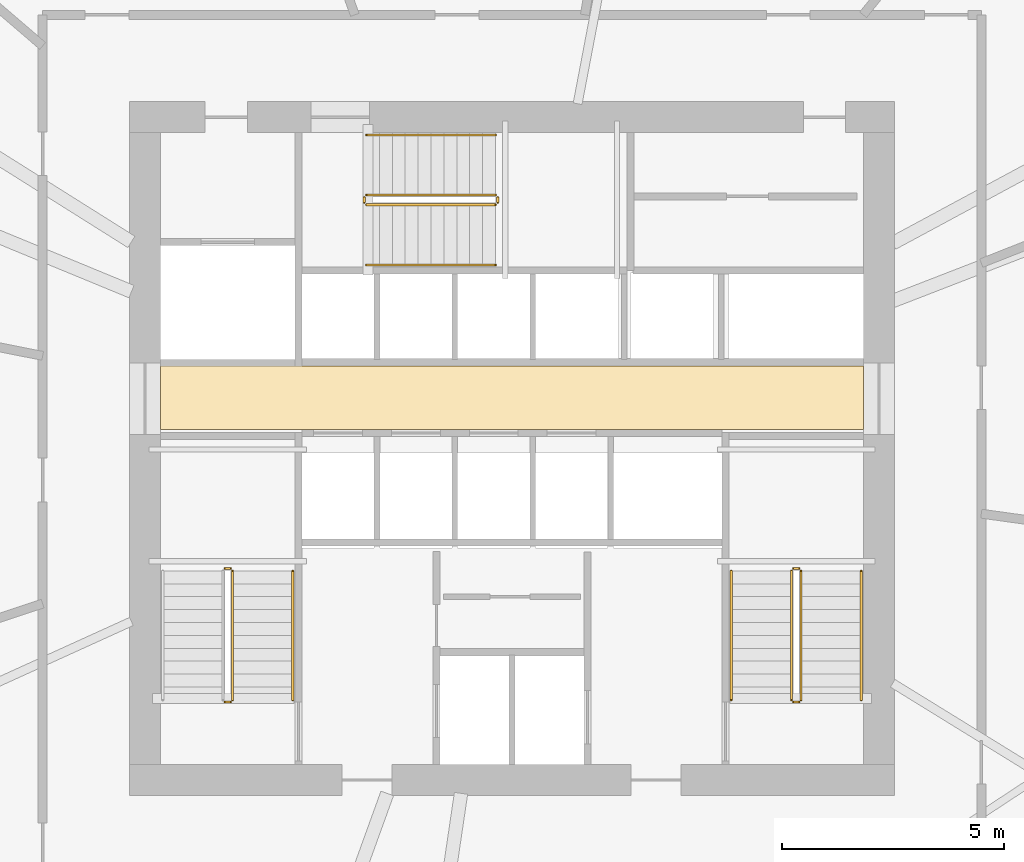
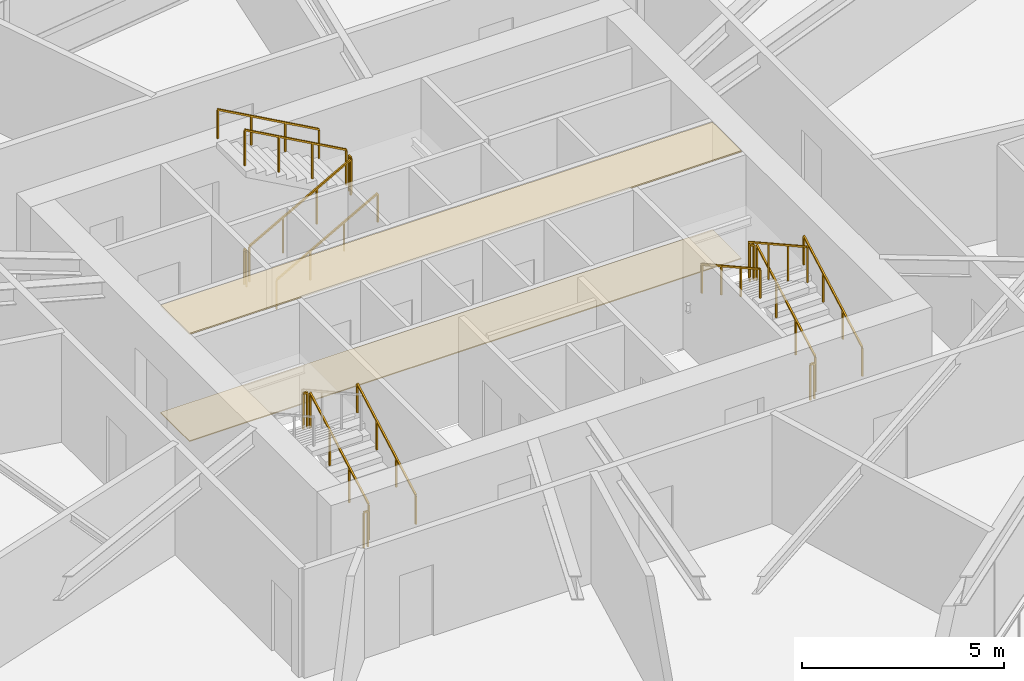
# One storey, part 13 of 14: 16 railings, 2 coverings.
"""IFC4 building model written with IfcOpenShell, lengths in metres."""

from ifc_helpers import new_model, si_unit, direction, frame, origin, origin_2d, place, context, subcontext, project, spatial, polyline, rectangle, outline, extrude, material, layer, layer_set, type_object, element, save


model = new_model("IFC4")

# Units and contexts
model_context = context("Model", 3, precision=1e-05, world=origin(), true_north=direction((0.0, 1.0)))
body_context = subcontext(model_context, "Body", "Model", "MODEL_VIEW")
ifc_project = project(units=[si_unit("LENGTHUNIT", "METRE"), si_unit("AREAUNIT", "SQUARE_METRE"), si_unit("VOLUMEUNIT", "CUBIC_METRE"), si_unit("PLANEANGLEUNIT", "RADIAN"), si_unit("MASSUNIT", "GRAM", prefix="KILO")], contexts=[model_context])

# Site, building, storey
site_placement = place(None, origin())
site = spatial("IfcSite", under=ifc_project, at=site_placement, CompositionType="ELEMENT")
building_placement = place(site_placement, origin())
building = spatial("IfcBuilding", under=site, at=building_placement, Name="Olszyna Solenne Hotel", CompositionType="ELEMENT")
storey_placement = place(building_placement, frame((0.0, 0.0, 130.550048828125)))
storey = spatial("IfcBuildingStorey", under=building, at=storey_placement, Name="L34", CompositionType="ELEMENT", Elevation=130.550048828125)

# Coverings
ifc_material_1 = material(Name="Mineral wool acoustic ceiling")
ifc_layer_1 = layer(ifc_material_1, 0.0400390625, Name="Mineral wool acoustic ceiling")
ifc_layer_set_1 = layer_set([ifc_layer_1], Name="Mineral wool acoustic ceiling")
covering_type_1 = type_object("IfcCoveringType", Name="CL-AC1", PredefinedType="CEILING", material=ifc_layer_set_1)
covering_1_placement = place(storey_placement, frame((0.0, 0.0, 3.239990234375)))
element("IfcCovering", 1, at=covering_1_placement, inside=storey, type_object=covering_type_1, Name="Lift lobby acoustic tile ceiling CL-L34-01", PredefinedType="CEILING", context=body_context, shape_type="SweptSolid", body=[
    extrude(outline(polyline([(30.10009765625, 27.030029296875), (45.89990234375, 27.030029296875), (45.89990234375, 28.4599609375), (30.10009765625, 28.4599609375), (30.10009765625, 27.030029296875)])), origin(), (0.0, 0.0, 1.0), 0.0400390625),
])
ifc_material_2 = material(Name="Ceramic floor tile")
ifc_layer_2 = layer(ifc_material_2, 0.030029296875, Name="Ceramic floor tile")
ifc_layer_set_2 = layer_set([ifc_layer_2], Name="Ceramic floor tile")
covering_type_2 = type_object("IfcCoveringType", Name="FL-TL1", PredefinedType="FLOORING", material=ifc_layer_set_2)
covering_2_placement = place(storey_placement, origin())
element("IfcCovering", 2, at=covering_2_placement, inside=storey, type_object=covering_type_2, Name="Lift lobby stoneware floor finish FLR-L34-01", PredefinedType="FLOORING", context=body_context, shape_type="SweptSolid", body=[
    extrude(outline(polyline([(30.10009765625, 27.030029296875), (45.89990234375, 27.030029296875), (45.89990234375, 28.4599609375), (30.10009765625, 28.4599609375), (30.10009765625, 27.030029296875)])), origin(), (0.0, 0.0, 1.0), 0.030029296875),
])

# Railings
ifc_material_3 = material(Name="Anodised bronze aluminium", Category="aluminium")
railing_type_1 = type_object("IfcRailingType", Name="GR-110", PredefinedType="BALUSTRADE", material=ifc_material_3)
railing_1_placement = place(storey_placement, frame((31.719970703125, 20.949951171875, 0.161376953125)))
element("IfcRailing", 3, at=railing_1_placement, inside=storey, type_object=railing_type_1, Name="L34 ST1 stair guard 1", PredefinedType="BALUSTRADE", context=body_context, shape_type="SweptSolid", body=[
    extrude(rectangle(XDim=0.048095703125, YDim=0.048095703125, at=origin_2d()), frame((0.0, 0.0, 1.076171875), z_axis=(0.0, 0.873858693841, 0.486179990537), x_axis=(-1.0, 0.0, 0.0)), (0.0, 0.0, 1.0), 3.31884765625),
    extrude(rectangle(XDim=0.0419921875, YDim=0.0419921875, at=origin_2d()), origin(), (0.0, 0.0, 1.0), 1.052001953125),
    extrude(rectangle(XDim=0.0419921875, YDim=0.0419921875, at=origin_2d()), frame((0.0, 0.966796875, 0.537841796875)), (0.0, 0.0, 1.0), 1.052001953125),
    extrude(rectangle(XDim=0.0419921875, YDim=0.0419921875, at=origin_2d()), frame((0.0, 1.933349609375, 1.07568359375)), (0.0, 0.0, 1.0), 1.052001953125),
    extrude(rectangle(XDim=0.0419921875, YDim=0.0419921875, at=origin_2d()), frame((0.0, 2.900146484375, 1.613525390625)), (0.0, 0.0, 1.0), 1.052001953125),
])
for number, where, name in (
    (4, (31.669921875, 23.89990234375, 1.77490234375), "L34 ST1 stair guard 2"),
    (5, (31.669921875, 20.89990234375, 0.0), "L34 ST1 stair guard 4"),
):
    element("IfcRailing", number, at=place(storey_placement, frame(where)), inside=storey, type_object=railing_type_1, Name=name, PredefinedType="BALUSTRADE", context=body_context, shape_type="SweptSolid", body=[
        extrude(rectangle(XDim=0.048095703125, YDim=0.048095703125, at=origin_2d()), frame((0.0, 0.0, 1.076171875), z_axis=(-1.0, 0.0, 0.0), x_axis=(0.0, -1.0, 0.0)), (0.0, 0.0, 1.0), 0.119873046875),
        extrude(rectangle(XDim=0.0419921875, YDim=0.0419921875, at=origin_2d()), origin(), (0.0, 0.0, 1.0), 1.052001953125),
        extrude(rectangle(XDim=0.0419921875, YDim=0.0419921875, at=origin_2d()), frame((-0.119873046875, 0.0, 0.0)), (0.0, 0.0, 1.0), 1.052001953125),
    ])
railing_2_placement = place(storey_placement, frame((44.5, 20.949951171875, 0.161376953125)))
element("IfcRailing", 6, at=railing_2_placement, inside=storey, type_object=railing_type_1, Name="L34 ST2 stair guard 1", PredefinedType="BALUSTRADE", context=body_context, shape_type="SweptSolid", body=[
    extrude(rectangle(XDim=0.048095703125, YDim=0.048095703125, at=origin_2d()), frame((0.0, 0.0, 1.076171875), z_axis=(0.0, 0.873858693841, 0.486179990537), x_axis=(-1.0, 0.0, 0.0)), (0.0, 0.0, 1.0), 3.31884765625),
    extrude(rectangle(XDim=0.0419921875, YDim=0.0419921875, at=origin_2d()), origin(), (0.0, 0.0, 1.0), 1.052001953125),
    extrude(rectangle(XDim=0.0419921875, YDim=0.0419921875, at=origin_2d()), frame((0.0, 0.966796875, 0.537841796875)), (0.0, 0.0, 1.0), 1.052001953125),
    extrude(rectangle(XDim=0.0419921875, YDim=0.0419921875, at=origin_2d()), frame((0.0, 1.933349609375, 1.07568359375)), (0.0, 0.0, 1.0), 1.052001953125),
    extrude(rectangle(XDim=0.0419921875, YDim=0.0419921875, at=origin_2d()), frame((0.0, 2.900146484375, 1.613525390625)), (0.0, 0.0, 1.0), 1.052001953125),
])
railing_3_placement = place(storey_placement, frame((44.449951171875, 23.89990234375, 1.77490234375)))
element("IfcRailing", 7, at=railing_3_placement, inside=storey, type_object=railing_type_1, Name="L34 ST2 stair guard 2", PredefinedType="BALUSTRADE", context=body_context, shape_type="SweptSolid", body=[
    extrude(rectangle(XDim=0.048095703125, YDim=0.048095703125, at=origin_2d()), frame((0.0, 0.0, 1.076171875), z_axis=(-1.0, 0.0, 0.0), x_axis=(0.0, -1.0, 0.0)), (0.0, 0.0, 1.0), 0.119873046875),
    extrude(rectangle(XDim=0.0419921875, YDim=0.0419921875, at=origin_2d()), origin(), (0.0, 0.0, 1.0), 1.052001953125),
    extrude(rectangle(XDim=0.0419921875, YDim=0.0419921875, at=origin_2d()), frame((-0.119873046875, 0.0, 0.0)), (0.0, 0.0, 1.0), 1.052001953125),
])
railing_4_placement = place(storey_placement, frame((44.280029296875, 23.85009765625, 1.936279296875)))
element("IfcRailing", 8, at=railing_4_placement, inside=storey, type_object=railing_type_1, Name="L34 ST2 stair guard 3", PredefinedType="BALUSTRADE", context=body_context, shape_type="SweptSolid", body=[
    extrude(rectangle(XDim=0.048095703125, YDim=0.048095703125, at=origin_2d()), frame((0.0, 0.0, 1.076171875), z_axis=(0.0, -0.873827439584, 0.48623616261), x_axis=(1.0, 0.0, 0.0)), (0.0, 0.0, 1.0), 3.31884765625),
    extrude(rectangle(XDim=0.0419921875, YDim=0.0419921875, at=origin_2d()), origin(), (0.0, 0.0, 1.0), 1.052001953125),
    extrude(rectangle(XDim=0.0419921875, YDim=0.0419921875, at=origin_2d()), frame((0.0, -0.966796875, 0.537841796875)), (0.0, 0.0, 1.0), 1.052001953125),
    extrude(rectangle(XDim=0.0419921875, YDim=0.0419921875, at=origin_2d()), frame((0.0, -1.933349609375, 1.075927734375)), (0.0, 0.0, 1.0), 1.052001953125),
    extrude(rectangle(XDim=0.0419921875, YDim=0.0419921875, at=origin_2d()), frame((0.0, -2.900146484375, 1.61376953125)), (0.0, 0.0, 1.0), 1.052001953125),
])
railing_5_placement = place(storey_placement, frame((44.449951171875, 20.89990234375, 0.0)))
element("IfcRailing", 9, at=railing_5_placement, inside=storey, type_object=railing_type_1, Name="L34 ST2 stair guard 4", PredefinedType="BALUSTRADE", context=body_context, shape_type="SweptSolid", body=[
    extrude(rectangle(XDim=0.048095703125, YDim=0.048095703125, at=origin_2d()), frame((0.0, 0.0, 1.076171875), z_axis=(-1.0, 0.0, 0.0), x_axis=(0.0, -1.0, 0.0)), (0.0, 0.0, 1.0), 0.119873046875),
    extrude(rectangle(XDim=0.0419921875, YDim=0.0419921875, at=origin_2d()), origin(), (0.0, 0.0, 1.0), 1.052001953125),
    extrude(rectangle(XDim=0.0419921875, YDim=0.0419921875, at=origin_2d()), frame((-0.119873046875, 0.0, 0.0)), (0.0, 0.0, 1.0), 1.052001953125),
])
railing_6_placement = place(storey_placement, frame((34.72998046875, 32.080078125, 0.161376953125)))
element("IfcRailing", 10, at=railing_6_placement, inside=storey, type_object=railing_type_1, Name="L34 ST3 stair guard 1", PredefinedType="BALUSTRADE", context=body_context, shape_type="SweptSolid", body=[
    extrude(rectangle(XDim=0.048095703125, YDim=0.048095703125, at=origin_2d()), frame((0.0, 0.0, 1.076171875), z_axis=(0.873841303929, 0.0, 0.486211245805), x_axis=(0.0, 1.0, 0.0)), (0.0, 0.0, 1.0), 3.318603515625),
    extrude(rectangle(XDim=0.0419921875, YDim=0.0419921875, at=origin_2d()), origin(), (0.0, 0.0, 1.0), 1.052001953125),
    extrude(rectangle(XDim=0.0419921875, YDim=0.0419921875, at=origin_2d()), frame((0.966552734375, 0.0, 0.537841796875)), (0.0, 0.0, 1.0), 1.052001953125),
    extrude(rectangle(XDim=0.0419921875, YDim=0.0419921875, at=origin_2d()), frame((1.933349609375, 0.0, 1.07568359375)), (0.0, 0.0, 1.0), 1.052001953125),
    extrude(rectangle(XDim=0.0419921875, YDim=0.0419921875, at=origin_2d()), frame((2.89990234375, 0.0, 1.613525390625)), (0.0, 0.0, 1.0), 1.052001953125),
])
railing_7_placement = place(storey_placement, frame((37.679931640625, 32.1298828125, 1.77490234375)))
element("IfcRailing", 11, at=railing_7_placement, inside=storey, type_object=railing_type_1, Name="L34 ST3 stair guard 2", PredefinedType="BALUSTRADE", context=body_context, shape_type="SweptSolid", body=[
    extrude(rectangle(XDim=0.048095703125, YDim=0.048095703125, at=origin_2d()), frame((0.0, 0.0, 1.076171875), z_axis=(0.0, 1.0, 0.0), x_axis=(-1.0, 0.0, 0.0)), (0.0, 0.0, 1.0), 0.1201171875),
    extrude(rectangle(XDim=0.0419921875, YDim=0.0419921875, at=origin_2d()), origin(), (0.0, 0.0, 1.0), 1.052001953125),
    extrude(rectangle(XDim=0.0419921875, YDim=0.0419921875, at=origin_2d()), frame((0.0, 0.1201171875, 0.0)), (0.0, 0.0, 1.0), 1.052001953125),
])
railing_8_placement = place(storey_placement, frame((37.6298828125, 32.300048828125, 1.936279296875)))
element("IfcRailing", 12, at=railing_8_placement, inside=storey, type_object=railing_type_1, Name="L34 ST3 stair guard 3", PredefinedType="BALUSTRADE", context=body_context, shape_type="SweptSolid", body=[
    extrude(rectangle(XDim=0.048095703125, YDim=0.048095703125, at=origin_2d()), frame((0.0, 0.0, 1.076171875), z_axis=(-0.873810046276, 0.0, 0.486267419253), x_axis=(0.0, -1.0, 0.0)), (0.0, 0.0, 1.0), 3.318603515625),
    extrude(rectangle(XDim=0.0419921875, YDim=0.0419921875, at=origin_2d()), origin(), (0.0, 0.0, 1.0), 1.052001953125),
    extrude(rectangle(XDim=0.0419921875, YDim=0.0419921875, at=origin_2d()), frame((-0.966552734375, 0.0, 0.537841796875)), (0.0, 0.0, 1.0), 1.052001953125),
    extrude(rectangle(XDim=0.0419921875, YDim=0.0419921875, at=origin_2d()), frame((-1.933349609375, 0.0, 1.075927734375)), (0.0, 0.0, 1.0), 1.052001953125),
    extrude(rectangle(XDim=0.0419921875, YDim=0.0419921875, at=origin_2d()), frame((-2.89990234375, 0.0, 1.61376953125)), (0.0, 0.0, 1.0), 1.052001953125),
])
railing_9_placement = place(storey_placement, frame((34.679931640625, 32.1298828125, 0.0)))
element("IfcRailing", 13, at=railing_9_placement, inside=storey, type_object=railing_type_1, Name="L34 ST3 stair guard 4", PredefinedType="BALUSTRADE", context=body_context, shape_type="SweptSolid", body=[
    extrude(rectangle(XDim=0.048095703125, YDim=0.048095703125, at=origin_2d()), frame((0.0, 0.0, 1.076171875), z_axis=(0.0, 1.0, 0.0), x_axis=(-1.0, 0.0, 0.0)), (0.0, 0.0, 1.0), 0.1201171875),
    extrude(rectangle(XDim=0.0419921875, YDim=0.0419921875, at=origin_2d()), origin(), (0.0, 0.0, 1.0), 1.052001953125),
    extrude(rectangle(XDim=0.0419921875, YDim=0.0419921875, at=origin_2d()), frame((0.0, 0.1201171875, 0.0)), (0.0, 0.0, 1.0), 1.052001953125),
])
ifc_material_4 = material(Name="Steel S355J2", Category="steel")
railing_type_2 = type_object("IfcRailingType", Name="HR-090", PredefinedType="HANDRAIL", material=ifc_material_4)
for number, where, name in (
    (14, (33.070068359375, 20.949951171875, 0.161376953125), "L34 ST1 stair handrail 1"),
    (15, (45.85009765625, 20.949951171875, 0.161376953125), "L34 ST2 stair handrail 1"),
):
    element("IfcRailing", number, at=place(storey_placement, frame(where)), inside=storey, type_object=railing_type_2, Name=name, PredefinedType="HANDRAIL", context=body_context, shape_type="SweptSolid", body=[
        extrude(rectangle(XDim=0.048095703125, YDim=0.048095703125, at=origin_2d()), frame((0.0, 0.0, 0.8759765625), z_axis=(0.0, 0.873858693841, 0.486179990537), x_axis=(-1.0, 0.0, 0.0)), (0.0, 0.0, 1.0), 3.31884765625),
        extrude(rectangle(XDim=0.0419921875, YDim=0.0419921875, at=origin_2d()), origin(), (0.0, 0.0, 1.0), 0.851806640625),
        extrude(rectangle(XDim=0.0419921875, YDim=0.0419921875, at=origin_2d()), frame((0.0, 0.966796875, 0.537841796875)), (0.0, 0.0, 1.0), 0.851806640625),
        extrude(rectangle(XDim=0.0419921875, YDim=0.0419921875, at=origin_2d()), frame((0.0, 1.933349609375, 1.07568359375)), (0.0, 0.0, 1.0), 0.851806640625),
        extrude(rectangle(XDim=0.0419921875, YDim=0.0419921875, at=origin_2d()), frame((0.0, 2.900146484375, 1.613525390625)), (0.0, 0.0, 1.0), 0.851806640625),
    ])
railing_10_placement = place(storey_placement, frame((42.929931640625, 23.85009765625, 1.936279296875)))
element("IfcRailing", 16, at=railing_10_placement, inside=storey, type_object=railing_type_2, Name="L34 ST2 stair handrail 2", PredefinedType="HANDRAIL", context=body_context, shape_type="SweptSolid", body=[
    extrude(rectangle(XDim=0.048095703125, YDim=0.048095703125, at=origin_2d()), frame((0.0, 0.0, 0.8759765625), z_axis=(0.0, -0.873827439584, 0.48623616261), x_axis=(1.0, 0.0, 0.0)), (0.0, 0.0, 1.0), 3.31884765625),
    extrude(rectangle(XDim=0.0419921875, YDim=0.0419921875, at=origin_2d()), origin(), (0.0, 0.0, 1.0), 0.851806640625),
    extrude(rectangle(XDim=0.0419921875, YDim=0.0419921875, at=origin_2d()), frame((0.0, -0.966796875, 0.537841796875)), (0.0, 0.0, 1.0), 0.851806640625),
    extrude(rectangle(XDim=0.0419921875, YDim=0.0419921875, at=origin_2d()), frame((0.0, -1.933349609375, 1.075927734375)), (0.0, 0.0, 1.0), 0.851806640625),
    extrude(rectangle(XDim=0.0419921875, YDim=0.0419921875, at=origin_2d()), frame((0.0, -2.900146484375, 1.61376953125)), (0.0, 0.0, 1.0), 0.851806640625),
])
railing_11_placement = place(storey_placement, frame((34.72998046875, 30.72998046875, 0.161376953125)))
element("IfcRailing", 17, at=railing_11_placement, inside=storey, type_object=railing_type_2, Name="L34 ST3 stair handrail 1", PredefinedType="HANDRAIL", context=body_context, shape_type="SweptSolid", body=[
    extrude(rectangle(XDim=0.048095703125, YDim=0.048095703125, at=origin_2d()), frame((0.0, 0.0, 0.8759765625), z_axis=(0.873841303929, 0.0, 0.486211245805), x_axis=(0.0, 1.0, 0.0)), (0.0, 0.0, 1.0), 3.318603515625),
    extrude(rectangle(XDim=0.0419921875, YDim=0.0419921875, at=origin_2d()), origin(), (0.0, 0.0, 1.0), 0.851806640625),
    extrude(rectangle(XDim=0.0419921875, YDim=0.0419921875, at=origin_2d()), frame((0.966552734375, 0.0, 0.537841796875)), (0.0, 0.0, 1.0), 0.851806640625),
    extrude(rectangle(XDim=0.0419921875, YDim=0.0419921875, at=origin_2d()), frame((1.933349609375, 0.0, 1.07568359375)), (0.0, 0.0, 1.0), 0.851806640625),
    extrude(rectangle(XDim=0.0419921875, YDim=0.0419921875, at=origin_2d()), frame((2.89990234375, 0.0, 1.613525390625)), (0.0, 0.0, 1.0), 0.851806640625),
])
railing_12_placement = place(storey_placement, frame((37.6298828125, 33.64990234375, 1.936279296875)))
element("IfcRailing", 18, at=railing_12_placement, inside=storey, type_object=railing_type_2, Name="L34 ST3 stair handrail 2", PredefinedType="HANDRAIL", context=body_context, shape_type="SweptSolid", body=[
    extrude(rectangle(XDim=0.048095703125, YDim=0.048095703125, at=origin_2d()), frame((0.0, 0.0, 0.8759765625), z_axis=(-0.873810046276, 0.0, 0.486267419253), x_axis=(0.0, -1.0, 0.0)), (0.0, 0.0, 1.0), 3.318603515625),
    extrude(rectangle(XDim=0.0419921875, YDim=0.0419921875, at=origin_2d()), origin(), (0.0, 0.0, 1.0), 0.851806640625),
    extrude(rectangle(XDim=0.0419921875, YDim=0.0419921875, at=origin_2d()), frame((-0.966552734375, 0.0, 0.537841796875)), (0.0, 0.0, 1.0), 0.851806640625),
    extrude(rectangle(XDim=0.0419921875, YDim=0.0419921875, at=origin_2d()), frame((-1.933349609375, 0.0, 1.075927734375)), (0.0, 0.0, 1.0), 0.851806640625),
    extrude(rectangle(XDim=0.0419921875, YDim=0.0419921875, at=origin_2d()), frame((-2.89990234375, 0.0, 1.61376953125)), (0.0, 0.0, 1.0), 0.851806640625),
])

save(model, "model.ifc")
